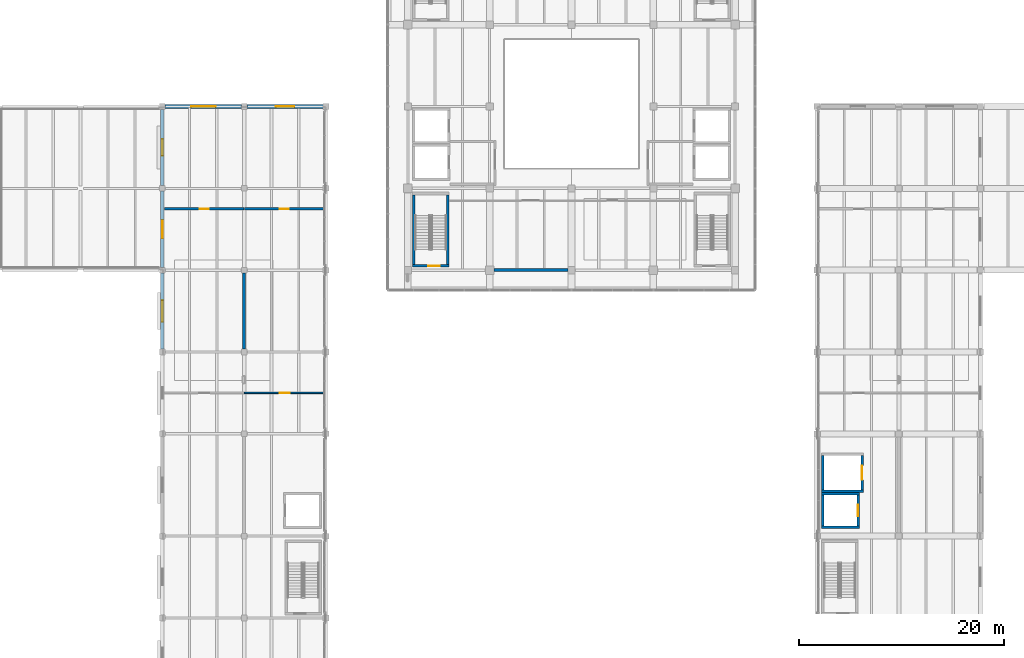
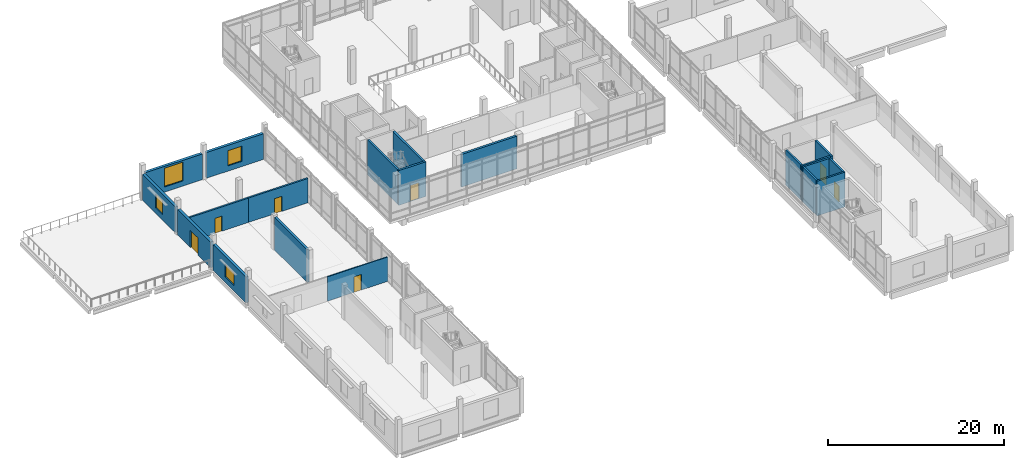
# One storey, part 34 of 47: 20 walls, 7 doors, 4 windows, 11 openings.
"""IFC4 building model written with IfcOpenShell, lengths in metres."""

from ifc_helpers import new_model, si_unit, direction, frame, frame_2d, origin, place, context, subcontext, project, spatial, rectangle, extrude, material, layer, layer_set, type_object, element, fill, save


model = new_model("IFC4")

# Units and contexts
model_context = context("Model", 3, precision=1e-05, world=origin(), true_north=direction((0.0, 1.0)))
body_context = subcontext(model_context, "Body", "Model", "MODEL_VIEW")
ifc_project = project(units=[si_unit("LENGTHUNIT", "METRE"), si_unit("AREAUNIT", "SQUARE_METRE"), si_unit("VOLUMEUNIT", "CUBIC_METRE"), si_unit("PLANEANGLEUNIT", "RADIAN"), si_unit("MASSUNIT", "GRAM", prefix="KILO")], contexts=[model_context])

# Site, building, storey
site_placement = place(None, origin())
site = spatial("IfcSite", under=ifc_project, at=site_placement, CompositionType="ELEMENT")
building_placement = place(site_placement, origin())
building = spatial("IfcBuilding", under=site, at=building_placement, Name="Pecanmere Concourse Central Library", CompositionType="ELEMENT")
storey_placement = place(building_placement, frame((0.0, 0.0, 15.300048828125)))
storey = spatial("IfcBuildingStorey", under=building, at=storey_placement, Name="L04", CompositionType="ELEMENT", Elevation=15.300048828125)

# Wall, opening, window
ifc_material_1 = material(Name="Texas cream limestone ashlar masonry", Category="masonry")
ifc_layer_1 = layer(ifc_material_1, 0.35009765625, Name="EW_LIME_350")
ifc_layer_set_1 = layer_set([ifc_layer_1], Name="Texas cream limestone ashlar masonry")
wall_type_1 = type_object("IfcWallType", Name="EW_LIME_350", PredefinedType="STANDARD", material=ifc_layer_set_1)
wall_1_placement = place(storey_placement, frame((48.0, 89.72998046875, 0.0), z_axis=(0.0, 0.0, 1.0), x_axis=(0.0, -1.0, 0.0)))
wall_1 = element("IfcWall", 1, at=wall_1_placement, inside=storey, type_object=wall_type_1, Name="Limestone Facade Wall L04-0186", PredefinedType="STANDARD", context=body_context, shape_type="SweptSolid", body=[
    extrude(rectangle(XDim=7.4599609375, YDim=0.35009765625, at=frame_2d((3.72998046875, 0.0))), origin(), (0.0, 0.0, 1.0), 3.56005859375),
])
opening_1_placement = place(wall_1_placement, frame((2.679931640625, 0.0, 0.719970703125)))
opening_1 = element("IfcOpeningElement", 2, at=opening_1_placement, cuts=wall_1, Name="Opening WN-18", PredefinedType="OPENING", context=body_context, shape_type="SweptSolid", body=[
    extrude(rectangle(XDim=2.10009765625, YDim=1.85009765625, at=frame_2d((1.050048828125, 0.925048828125))), frame((0.0, 0.18701171875, 0.0), z_axis=(0.0, -1.0, 0.0), x_axis=(1.0, 0.0, 0.0)), (0.0, 0.0, 1.0), 0.3740234375),
])
ifc_material_2 = material(Name="Low-iron clear insulated glazing", Category="glass")
window_type_1 = type_object("IfcWindowType", Name="WIN_2100x1850", PartitioningType="SINGLE_PANEL", PredefinedType="WINDOW", material=ifc_material_2)
window_1_placement = place(opening_1_placement, origin())
window_1 = element("IfcWindow", 3, at=window_1_placement, inside=storey, type_object=window_type_1, Name="WN-156", OverallHeight=1.85009765625, OverallWidth=2.10009765625, PartitioningType="SINGLE_PANEL", PredefinedType="WINDOW", context=body_context, shape_type="SweptSolid", body=[
    extrude(rectangle(XDim=2.10009765625, YDim=1.85009765625, at=frame_2d((1.050048828125, 0.925048828125))), frame((0.0, 0.030029296875, 0.0), z_axis=(0.0, -1.0, 0.0), x_axis=(1.0, 0.0, 0.0)), (0.0, 0.0, 1.0), 0.06005859375),
])
fill(opening_1, window_1)

# Wall, opening, door
wall_2_placement = place(storey_placement, frame((48.0, 97.72998046875, 0.0), z_axis=(0.0, 0.0, 1.0), x_axis=(0.0, -1.0, 0.0)))
wall_2 = element("IfcWall", 4, at=wall_2_placement, inside=storey, type_object=wall_type_1, Name="Limestone Facade Wall L04-0188", PredefinedType="STANDARD", context=body_context, shape_type="SweptSolid", body=[
    extrude(rectangle(XDim=7.4599609375, YDim=0.35009765625, at=frame_2d((3.72998046875, 0.0))), origin(), (0.0, 0.0, 1.0), 3.56005859375),
])
opening_2_placement = place(wall_2_placement, frame((2.830078125, 0.0, 0.0)))
opening_2 = element("IfcOpeningElement", 5, at=opening_2_placement, cuts=wall_2, Name="Opening ED-03", PredefinedType="OPENING", context=body_context, shape_type="SweptSolid", body=[
    extrude(rectangle(XDim=1.800048828125, YDim=2.39990234375, at=frame_2d((0.89990234375, 1.199951171875))), frame((0.0, 0.18701171875, 0.0), z_axis=(0.0, -1.0, 0.0), x_axis=(1.0, 0.0, 0.0)), (0.0, 0.0, 1.0), 0.3740234375),
])
ifc_material_3 = material(Name="Architectural anodized bronze")
door_type_1 = type_object("IfcDoorType", Name="ED-03", OperationType="DOUBLE_DOOR_SINGLE_SWING", PredefinedType="DOOR", material=ifc_material_3)
door_1_placement = place(opening_2_placement, frame((1.800048828125, 0.0, 0.0), z_axis=(0.0, 0.0, 1.0), x_axis=(-1.0, 0.0, 0.0)))
door_1 = element("IfcDoor", 6, at=door_1_placement, inside=storey, type_object=door_type_1, Name="ED-019", OperationType="DOUBLE_DOOR_SINGLE_SWING", OverallHeight=2.39990234375, OverallWidth=1.800048828125, PredefinedType="DOOR", context=body_context, shape_type="SweptSolid", body=[
    extrude(rectangle(XDim=1.800048828125, YDim=2.39990234375, at=frame_2d((0.89990234375, 1.199951171875))), frame((0.0, 0.02490234375, 0.0), z_axis=(0.0, -1.0, 0.0), x_axis=(1.0, 0.0, 0.0)), (0.0, 0.0, 1.0), 0.050048828125),
])
fill(opening_2, door_1)

# Wall, opening, window
wall_3_placement = place(storey_placement, frame((48.0, 105.72998046875, 0.0), z_axis=(0.0, 0.0, 1.0), x_axis=(0.0, -1.0, 0.0)))
wall_3 = element("IfcWall", 7, at=wall_3_placement, inside=storey, type_object=wall_type_1, Name="Limestone Facade Wall L04-0190", PredefinedType="STANDARD", context=body_context, shape_type="SweptSolid", body=[
    extrude(rectangle(XDim=7.4599609375, YDim=0.35009765625, at=frame_2d((3.72998046875, 0.0))), origin(), (0.0, 0.0, 1.0), 3.56005859375),
])
opening_3_placement = place(wall_3_placement, frame((2.929931640625, 0.0, 0.719970703125)))
opening_3 = element("IfcOpeningElement", 8, at=opening_3_placement, cuts=wall_3, Name="Opening WN-07", PredefinedType="OPENING", context=body_context, shape_type="SweptSolid", body=[
    extrude(rectangle(XDim=1.60009765625, YDim=1.949951171875, at=frame_2d((0.800048828125, 0.97509765625))), frame((0.0, 0.18701171875, 0.0), z_axis=(0.0, -1.0, 0.0), x_axis=(1.0, 0.0, 0.0)), (0.0, 0.0, 1.0), 0.3740234375),
])
ifc_material_4 = material(Name="Low-iron clear insulated glazing", Category="glass")
window_type_2 = type_object("IfcWindowType", Name="WIN_1600x1950", PartitioningType="SINGLE_PANEL", PredefinedType="WINDOW", material=ifc_material_4)
window_2_placement = place(opening_3_placement, origin())
window_2 = element("IfcWindow", 9, at=window_2_placement, inside=storey, type_object=window_type_2, Name="WN-159", OverallHeight=1.949951171875, OverallWidth=1.60009765625, PartitioningType="SINGLE_PANEL", PredefinedType="WINDOW", context=body_context, shape_type="SweptSolid", body=[
    extrude(rectangle(XDim=1.60009765625, YDim=1.949951171875, at=frame_2d((0.800048828125, 0.97509765625))), frame((0.0, 0.030029296875, 0.0), z_axis=(0.0, -1.0, 0.0), x_axis=(1.0, 0.0, 0.0)), (0.0, 0.0, 1.0), 0.06005859375),
])
fill(opening_3, window_2)

wall_4_placement = place(storey_placement, frame((55.72998046875, 106.0, 0.0), z_axis=(0.0, 0.0, 1.0), x_axis=(-1.0, 0.0, 0.0)))
wall_4 = element("IfcWall", 10, at=wall_4_placement, inside=storey, type_object=wall_type_1, Name="Limestone Facade Wall L04-0196", PredefinedType="STANDARD", context=body_context, shape_type="SweptSolid", body=[
    extrude(rectangle(XDim=7.4599609375, YDim=0.35009765625, at=frame_2d((3.72998046875, 0.0))), origin(), (0.0, 0.0, 1.0), 3.56005859375),
])
opening_4_placement = place(wall_4_placement, frame((2.530029296875, 0.0, 0.719970703125)))
opening_4 = element("IfcOpeningElement", 11, at=opening_4_placement, cuts=wall_4, Name="Opening WN-01", PredefinedType="OPENING", context=body_context, shape_type="SweptSolid", body=[
    extrude(rectangle(XDim=2.39990234375, YDim=2.60009765625, at=frame_2d((1.199951171875, 1.300048828125))), frame((0.0, 0.18701171875, 0.0), z_axis=(0.0, -1.0, 0.0), x_axis=(1.0, 0.0, 0.0)), (0.0, 0.0, 1.0), 0.3740234375),
])
ifc_material_5 = material(Name="Low-iron clear insulated glazing", Category="glass")
window_type_3 = type_object("IfcWindowType", Name="WIN_2400x2600", PartitioningType="SINGLE_PANEL", PredefinedType="WINDOW", material=ifc_material_5)
window_3_placement = place(opening_4_placement, origin())
window_3 = element("IfcWindow", 12, at=window_3_placement, inside=storey, type_object=window_type_3, Name="WN-165", OverallHeight=2.60009765625, OverallWidth=2.39990234375, PartitioningType="SINGLE_PANEL", PredefinedType="WINDOW", context=body_context, shape_type="SweptSolid", body=[
    extrude(rectangle(XDim=2.39990234375, YDim=2.60009765625, at=frame_2d((1.199951171875, 1.300048828125))), frame((0.0, 0.030029296875, 0.0), z_axis=(0.0, -1.0, 0.0), x_axis=(1.0, 0.0, 0.0)), (0.0, 0.0, 1.0), 0.06005859375),
])
fill(opening_4, window_3)

wall_5_placement = place(storey_placement, frame((63.72998046875, 106.0, 0.0), z_axis=(0.0, 0.0, 1.0), x_axis=(-1.0, 0.0, 0.0)))
wall_5 = element("IfcWall", 13, at=wall_5_placement, inside=storey, type_object=wall_type_1, Name="Limestone Facade Wall L04-0198", PredefinedType="STANDARD", context=body_context, shape_type="SweptSolid", body=[
    extrude(rectangle(XDim=7.4599609375, YDim=0.35009765625, at=frame_2d((3.72998046875, 0.0))), origin(), (0.0, 0.0, 1.0), 3.56005859375),
])
opening_5_placement = place(wall_5_placement, frame((2.830078125, 0.0, 0.719970703125)))
opening_5 = element("IfcOpeningElement", 14, at=opening_5_placement, cuts=wall_5, Name="Opening WN-05", PredefinedType="OPENING", context=body_context, shape_type="SweptSolid", body=[
    extrude(rectangle(XDim=1.800048828125, YDim=2.10009765625, at=frame_2d((0.89990234375, 1.050048828125))), frame((0.0, 0.18701171875, 0.0), z_axis=(0.0, -1.0, 0.0), x_axis=(1.0, 0.0, 0.0)), (0.0, 0.0, 1.0), 0.3740234375),
])
ifc_material_6 = material(Name="Low-iron clear insulated glazing", Category="glass")
window_type_4 = type_object("IfcWindowType", Name="WIN_1800x2100", PartitioningType="SINGLE_PANEL", PredefinedType="WINDOW", material=ifc_material_6)
window_4_placement = place(opening_5_placement, origin())
window_4 = element("IfcWindow", 15, at=window_4_placement, inside=storey, type_object=window_type_4, Name="WN-167", OverallHeight=2.10009765625, OverallWidth=1.800048828125, PartitioningType="SINGLE_PANEL", PredefinedType="WINDOW", context=body_context, shape_type="SweptSolid", body=[
    extrude(rectangle(XDim=1.800048828125, YDim=2.10009765625, at=frame_2d((0.89990234375, 1.050048828125))), frame((0.0, 0.030029296875, 0.0), z_axis=(0.0, -1.0, 0.0), x_axis=(1.0, 0.0, 0.0)), (0.0, 0.0, 1.0), 0.06005859375),
])
fill(opening_5, window_4)

# Wall, opening, door
ifc_material_7 = material(Name="Fire-rated gypsum board on acoustic steel stud", Category="steel")
ifc_layer_2 = layer(ifc_material_7, 0.135009765625, Name="IW_PART_135")
ifc_layer_set_2 = layer_set([ifc_layer_2], Name="Fire-rated gypsum board on acoustic steel stud")
wall_type_2 = type_object("IfcWallType", Name="IW_PART_135", PredefinedType="PARTITIONING", material=ifc_layer_set_2)
wall_6_placement = place(storey_placement, frame((56.02001953125, 78.0, 0.0), z_axis=(0.0, 0.0, 1.0), x_axis=(1.0, 0.0, 0.0)))
wall_6 = element("IfcWall", 16, at=wall_6_placement, inside=storey, type_object=wall_type_2, Name="Interior Partition L04-0195", PredefinedType="PARTITIONING", context=body_context, shape_type="SweptSolid", body=[
    extrude(rectangle(XDim=7.8798828125, YDim=0.135009765625, at=frame_2d((3.93994140625, 0.0))), origin(), (0.0, 0.0, 1.0), 3.369873046875),
])
opening_6_placement = place(wall_6_placement, frame((3.465087890625, 0.0, 0.0)))
opening_6 = element("IfcOpeningElement", 17, at=opening_6_placement, cuts=wall_6, Name="Opening DT-05", PredefinedType="OPENING", context=body_context, shape_type="SweptSolid", body=[
    extrude(rectangle(XDim=0.949951171875, YDim=2.14990234375, at=frame_2d((0.47509765625, 1.074951171875))), frame((0.0, 0.07958984375, 0.0), z_axis=(0.0, -1.0, 0.0), x_axis=(1.0, 0.0, 0.0)), (0.0, 0.0, 1.0), 0.158935546875),
])
ifc_material_8 = material(Name="Solid white oak architectural joinery")
door_type_2 = type_object("IfcDoorType", Name="DT-05", OperationType="SINGLE_SWING_LEFT", PredefinedType="DOOR", material=ifc_material_8)
door_2_placement = place(opening_6_placement, frame((0.949951171875, 0.0, 0.0), z_axis=(0.0, 0.0, 1.0), x_axis=(-1.0, 0.0, 0.0)))
door_2 = element("IfcDoor", 18, at=door_2_placement, inside=storey, type_object=door_type_2, Name="D-219", OperationType="SINGLE_SWING_LEFT", OverallHeight=2.14990234375, OverallWidth=0.949951171875, PredefinedType="DOOR", context=body_context, shape_type="SweptSolid", body=[
    extrude(rectangle(XDim=0.949951171875, YDim=2.14990234375, at=frame_2d((0.47509765625, 1.074951171875))), frame((0.0, 0.02490234375, 0.0), z_axis=(0.0, -1.0, 0.0), x_axis=(1.0, 0.0, 0.0)), (0.0, 0.0, 1.0), 0.050048828125),
])
fill(opening_6, door_2)

ifc_material_9 = material(Name="Concrete masonry unit ASTM C90", Category="masonry")
ifc_layer_3 = layer(ifc_material_9, 0.22509765625, Name="IW_PLUMB_225")
ifc_layer_set_3 = layer_set([ifc_layer_3], Name="Concrete masonry unit ASTM C90")
wall_type_3 = type_object("IfcWallType", Name="IW_PLUMB_225", PredefinedType="PARTITIONING", material=ifc_layer_set_3)
wall_7_placement = place(storey_placement, frame((48.18505859375, 96.0, 0.0), z_axis=(0.0, 0.0, 1.0), x_axis=(1.0, 0.0, 0.0)))
wall_7 = element("IfcWall", 19, at=wall_7_placement, inside=storey, type_object=wall_type_3, Name="Interior Partition L04-0198", PredefinedType="PARTITIONING", context=body_context, shape_type="SweptSolid", body=[
    extrude(rectangle(XDim=7.81494140625, YDim=0.22509765625, at=frame_2d((3.907470703125, 0.0))), origin(), (0.0, 0.0, 1.0), 3.369873046875),
])
opening_7_placement = place(wall_7_placement, frame((3.447509765625, 0.0, 0.0)))
opening_7 = element("IfcOpeningElement", 20, at=opening_7_placement, cuts=wall_7, Name="Opening DT-08", PredefinedType="OPENING", context=body_context, shape_type="SweptSolid", body=[
    extrude(rectangle(XDim=0.919921875, YDim=2.10009765625, at=frame_2d((0.4599609375, 1.050048828125))), frame((0.0, 0.12451171875, 0.0), z_axis=(0.0, -1.0, 0.0), x_axis=(1.0, 0.0, 0.0)), (0.0, 0.0, 1.0), 0.2490234375),
])
ifc_material_10 = material(Name="Solid white oak architectural joinery")
door_type_3 = type_object("IfcDoorType", Name="DT-08", OperationType="SINGLE_SWING_RIGHT", PredefinedType="DOOR", material=ifc_material_10)
door_3_placement = place(opening_7_placement, origin())
door_3 = element("IfcDoor", 21, at=door_3_placement, inside=storey, type_object=door_type_3, Name="D-222", OperationType="SINGLE_SWING_RIGHT", OverallHeight=2.10009765625, OverallWidth=0.919921875, PredefinedType="DOOR", context=body_context, shape_type="SweptSolid", body=[
    extrude(rectangle(XDim=0.919921875, YDim=2.10009765625, at=frame_2d((0.4599609375, 1.050048828125))), frame((0.0, 0.02490234375, 0.0), z_axis=(0.0, -1.0, 0.0), x_axis=(1.0, 0.0, 0.0)), (0.0, 0.0, 1.0), 0.050048828125),
])
fill(opening_7, door_3)

wall_8_placement = place(storey_placement, frame((56.02001953125, 96.0, 0.0), z_axis=(0.0, 0.0, 1.0), x_axis=(1.0, 0.0, 0.0)))
wall_8 = element("IfcWall", 22, at=wall_8_placement, inside=storey, type_object=wall_type_3, Name="Interior Partition L04-0199", PredefinedType="PARTITIONING", context=body_context, shape_type="SweptSolid", body=[
    extrude(rectangle(XDim=7.800048828125, YDim=0.22509765625, at=frame_2d((3.89990234375, 0.0))), origin(), (0.0, 0.0, 1.0), 3.369873046875),
])
opening_8_placement = place(wall_8_placement, frame((3.43994140625, 0.0, 0.0)))
opening_8 = element("IfcOpeningElement", 23, at=opening_8_placement, cuts=wall_8, Name="Opening DT-07", PredefinedType="OPENING", context=body_context, shape_type="SweptSolid", body=[
    extrude(rectangle(XDim=0.919921875, YDim=2.10009765625, at=frame_2d((0.4599609375, 1.050048828125))), frame((0.0, 0.12451171875, 0.0), z_axis=(0.0, -1.0, 0.0), x_axis=(1.0, 0.0, 0.0)), (0.0, 0.0, 1.0), 0.2490234375),
])
ifc_material_11 = material(Name="Solid white oak architectural joinery")
door_type_4 = type_object("IfcDoorType", Name="DT-07", OperationType="SINGLE_SWING_LEFT", PredefinedType="DOOR", material=ifc_material_11)
door_4_placement = place(opening_8_placement, frame((0.919921875, 0.0, 0.0), z_axis=(0.0, 0.0, 1.0), x_axis=(-1.0, 0.0, 0.0)))
door_4 = element("IfcDoor", 24, at=door_4_placement, inside=storey, type_object=door_type_4, Name="D-223", OperationType="SINGLE_SWING_LEFT", OverallHeight=2.10009765625, OverallWidth=0.919921875, PredefinedType="DOOR", context=body_context, shape_type="SweptSolid", body=[
    extrude(rectangle(XDim=0.919921875, YDim=2.10009765625, at=frame_2d((0.4599609375, 1.050048828125))), frame((0.0, 0.02490234375, 0.0), z_axis=(0.0, -1.0, 0.0), x_axis=(1.0, 0.0, 0.0)), (0.0, 0.0, 1.0), 0.050048828125),
])
fill(opening_8, door_4)

# Walls
ifc_material_12 = material(Name="Concrete C40/50", Category="concrete")
ifc_layer_4 = layer(ifc_material_12, 0.2900390625, Name="WALL_SHR_290")
ifc_layer_set_4 = layer_set([ifc_layer_4], Name="Concrete C40/50")
wall_type_4 = type_object("IfcWallType", Name="WALL_SHR_290", PredefinedType="SHEAR", material=ifc_layer_set_4)
wall_9_placement = place(storey_placement, frame((56.0, 82.27490234375, 0.0), z_axis=(0.0, 0.0, 1.0), x_axis=(0.0, 1.0, 0.0)))
element("IfcWall", 25, at=wall_9_placement, inside=storey, type_object=wall_type_4, Name="Lateral Shear Wall L04-023", PredefinedType="SHEAR", context=body_context, shape_type="SweptSolid", body=[
    extrude(rectangle(XDim=7.4501953125, YDim=0.2900390625, at=frame_2d((3.72509765625, 0.0))), origin(), (0.0, 0.0, 1.0), 4.52001953125),
])
wall_10_placement = place(storey_placement, frame((80.429931640625, 90.0, 0.0), z_axis=(0.0, 0.0, 1.0), x_axis=(1.0, 0.0, 0.0)))
element("IfcWall", 26, at=wall_10_placement, inside=storey, type_object=wall_type_4, Name="Lateral Shear Wall L04-029", PredefinedType="SHEAR", context=body_context, shape_type="SweptSolid", body=[
    extrude(rectangle(XDim=7.219970703125, YDim=0.2900390625, at=frame_2d((3.60986328125, 0.0))), origin(), (0.0, 0.0, 1.0), 4.52001953125),
])
ifc_material_13 = material(Name="Concrete C40/50", Category="concrete")
ifc_layer_5 = layer(ifc_material_13, 0.239990234375, Name="WALL_SLD_240")
ifc_layer_set_5 = layer_set([ifc_layer_5], Name="Concrete C40/50")
wall_type_5 = type_object("IfcWallType", Name="WALL_SLD_240", PredefinedType="SOLIDWALL", material=ifc_layer_set_5)
for number, where, z_axis, x_axis, name in (
    (27, (112.4599609375, 64.8798828125, 0.0), (0.0, 0.0, 1.0), (1.0, 0.0, 0.0), "Hoistway Wall LP-03 L04-S"),
    (28, (112.4599609375, 68.1201171875, 0.0), (0.0, 0.0, 1.0), (1.0, 0.0, 0.0), "Hoistway Wall LP-03 L04-N"),
):
    element("IfcWall", number, at=place(storey_placement, frame(where, z_axis=z_axis, x_axis=x_axis)), inside=storey, type_object=wall_type_5, Name=name, PredefinedType="SOLIDWALL", context=body_context, shape_type="SweptSolid", body=[
        extrude(rectangle(XDim=3.679931640625, YDim=0.239990234375, at=frame_2d((1.83984375, 0.0))), origin(), (0.0, 0.0, 1.0), 4.800048828125),
    ])
wall_11_placement = place(storey_placement, frame((112.580078125, 65.0, 0.0), z_axis=(0.0, 0.0, 1.0), x_axis=(0.0, 1.0, 0.0)))
element("IfcWall", 29, at=wall_11_placement, inside=storey, type_object=wall_type_5, Name="Hoistway Wall LP-03 L04-W", PredefinedType="SOLIDWALL", context=body_context, shape_type="SweptSolid", body=[
    extrude(rectangle(XDim=3.0, YDim=0.239990234375, at=frame_2d((1.5, 0.0))), origin(), (0.0, 0.0, 1.0), 4.800048828125),
])

# Wall, opening, door
wall_12_placement = place(storey_placement, frame((116.02001953125, 65.0, 0.0), z_axis=(0.0, 0.0, 1.0), x_axis=(0.0, 1.0, 0.0)))
wall_12 = element("IfcWall", 30, at=wall_12_placement, inside=storey, type_object=wall_type_5, Name="Hoistway Wall LP-03 L04-E", PredefinedType="SOLIDWALL", context=body_context, shape_type="SweptSolid", body=[
    extrude(rectangle(XDim=3.0, YDim=0.239990234375, at=frame_2d((1.5, 0.0))), origin(), (0.0, 0.0, 1.0), 4.800048828125),
])
opening_9_placement = place(wall_12_placement, frame((0.949951171875, 0.0, 0.0)))
opening_9 = element("IfcOpeningElement", 31, at=opening_9_placement, cuts=wall_12, Name="Opening LD-01", PredefinedType="OPENING", context=body_context, shape_type="SweptSolid", body=[
    extrude(rectangle(XDim=1.10009765625, YDim=2.199951171875, at=frame_2d((0.550048828125, 1.10009765625))), frame((0.0, 0.1318359375, 0.0), z_axis=(0.0, -1.0, 0.0), x_axis=(1.0, 0.0, 0.0)), (0.0, 0.0, 1.0), 0.263916015625),
])
ifc_material_14 = material(Name="Brushed stainless steel Grade 316", Category="steel")
door_type_5 = type_object("IfcDoorType", Name="LD-01", OperationType="DOUBLE_DOOR_SLIDING", PredefinedType="DOOR", material=ifc_material_14)
door_5_placement = place(opening_9_placement, origin())
door_5 = element("IfcDoor", 32, at=door_5_placement, inside=storey, type_object=door_type_5, Name="LD-LP-03-L04", OperationType="DOUBLE_DOOR_SLIDING", OverallHeight=2.199951171875, OverallWidth=1.10009765625, PredefinedType="DOOR", context=body_context, shape_type="SweptSolid", body=[
    extrude(rectangle(XDim=1.10009765625, YDim=2.199951171875, at=frame_2d((0.550048828125, 1.10009765625))), frame((0.0, 0.02490234375, 0.0), z_axis=(0.0, -1.0, 0.0), x_axis=(1.0, 0.0, 0.0)), (0.0, 0.0, 1.0), 0.050048828125),
])
fill(opening_9, door_5)

# Walls
wall_13_placement = place(storey_placement, frame((112.4599609375, 68.3798828125, 0.0), z_axis=(0.0, 0.0, 1.0), x_axis=(1.0, 0.0, 0.0)))
element("IfcWall", 33, at=wall_13_placement, inside=storey, type_object=wall_type_5, Name="Hoistway Wall LS-01 L04-S", PredefinedType="SOLIDWALL", context=body_context, shape_type="SweptSolid", body=[
    extrude(rectangle(XDim=4.080078125, YDim=0.239990234375, at=frame_2d((2.0400390625, 0.0))), origin(), (0.0, 0.0, 1.0), 4.800048828125),
])
wall_14_placement = place(storey_placement, frame((112.580078125, 68.5, 0.0), z_axis=(0.0, 0.0, 1.0), x_axis=(0.0, 1.0, 0.0)))
element("IfcWall", 34, at=wall_14_placement, inside=storey, type_object=wall_type_5, Name="Hoistway Wall LS-01 L04-W", PredefinedType="SOLIDWALL", context=body_context, shape_type="SweptSolid", body=[
    extrude(rectangle(XDim=3.39990234375, YDim=0.239990234375, at=frame_2d((1.699951171875, 0.0))), origin(), (0.0, 0.0, 1.0), 4.800048828125),
])

# Wall, opening, door
wall_15_placement = place(storey_placement, frame((116.419921875, 68.5, 0.0), z_axis=(0.0, 0.0, 1.0), x_axis=(0.0, 1.0, 0.0)))
wall_15 = element("IfcWall", 35, at=wall_15_placement, inside=storey, type_object=wall_type_5, Name="Hoistway Wall LS-01 L04-E", PredefinedType="SOLIDWALL", context=body_context, shape_type="SweptSolid", body=[
    extrude(rectangle(XDim=3.39990234375, YDim=0.239990234375, at=frame_2d((1.699951171875, 0.0))), origin(), (0.0, 0.0, 1.0), 4.800048828125),
])
opening_10_placement = place(wall_15_placement, frame((1.0, 0.0, 0.0)))
opening_10 = element("IfcOpeningElement", 36, at=opening_10_placement, cuts=wall_15, Name="Opening LD-03", PredefinedType="OPENING", context=body_context, shape_type="SweptSolid", body=[
    extrude(rectangle(XDim=1.39990234375, YDim=2.300048828125, at=frame_2d((0.699951171875, 1.14990234375))), frame((0.0, 0.1318359375, 0.0), z_axis=(0.0, -1.0, 0.0), x_axis=(1.0, 0.0, 0.0)), (0.0, 0.0, 1.0), 0.263916015625),
])
ifc_material_15 = material(Name="Brushed stainless steel Grade 316", Category="steel")
door_type_6 = type_object("IfcDoorType", Name="LD-03", OperationType="DOUBLE_DOOR_SLIDING", PredefinedType="DOOR", material=ifc_material_15)
door_6_placement = place(opening_10_placement, origin())
door_6 = element("IfcDoor", 37, at=door_6_placement, inside=storey, type_object=door_type_6, Name="LD-LS-01-L04", OperationType="DOUBLE_DOOR_SLIDING", OverallHeight=2.300048828125, OverallWidth=1.39990234375, PredefinedType="DOOR", context=body_context, shape_type="SweptSolid", body=[
    extrude(rectangle(XDim=1.39990234375, YDim=2.300048828125, at=frame_2d((0.699951171875, 1.14990234375))), frame((0.0, 0.02490234375, 0.0), z_axis=(0.0, -1.0, 0.0), x_axis=(1.0, 0.0, 0.0)), (0.0, 0.0, 1.0), 0.050048828125),
])
fill(opening_10, door_6)

ifc_material_16 = material(Name="Concrete C40/50", Category="concrete")
ifc_layer_6 = layer(ifc_material_16, 0.260009765625, Name="WALL_SLD_260")
ifc_layer_set_6 = layer_set([ifc_layer_6], Name="Concrete C40/50")
wall_type_6 = type_object("IfcWallType", Name="WALL_SLD_260", PredefinedType="SOLIDWALL", material=ifc_layer_set_6)
wall_16_placement = place(storey_placement, frame((72.43994140625, 90.419921875, 0.0), z_axis=(0.0, 0.0, 1.0), x_axis=(1.0, 0.0, 0.0)))
wall_16 = element("IfcWall", 38, at=wall_16_placement, inside=storey, type_object=wall_type_6, Name="Core C1 South Wall L04", PredefinedType="SOLIDWALL", context=body_context, shape_type="SweptSolid", body=[
    extrude(rectangle(XDim=3.580078125, YDim=0.260009765625, at=frame_2d((1.7900390625, 0.0))), origin(), (0.0, 0.0, 1.0), 4.800048828125),
])
opening_11_placement = place(wall_16_placement, frame((1.56005859375, 0.0, 0.0)))
opening_11 = element("IfcOpeningElement", 39, at=opening_11_placement, cuts=wall_16, Name="Opening FD-02", PredefinedType="OPENING", context=body_context, shape_type="SweptSolid", body=[
    extrude(rectangle(XDim=1.10009765625, YDim=2.199951171875, at=frame_2d((0.550048828125, 1.10009765625))), frame((0.0, 0.14208984375, 0.0), z_axis=(0.0, -1.0, 0.0), x_axis=(1.0, 0.0, 0.0)), (0.0, 0.0, 1.0), 0.283935546875),
])
ifc_material_17 = material(Name="Painted architectural steel ASTM A36", Category="steel")
door_type_7 = type_object("IfcDoorType", Name="FD-02", OperationType="SINGLE_SWING_RIGHT", PredefinedType="DOOR", material=ifc_material_17)
door_7_placement = place(opening_11_placement, origin())
door_7 = element("IfcDoor", 40, at=door_7_placement, inside=storey, type_object=door_type_7, Name="D-005", OperationType="SINGLE_SWING_RIGHT", OverallHeight=2.199951171875, OverallWidth=1.10009765625, PredefinedType="DOOR", context=body_context, shape_type="SweptSolid", body=[
    extrude(rectangle(XDim=1.10009765625, YDim=2.199951171875, at=frame_2d((0.550048828125, 1.10009765625))), frame((0.0, 0.02490234375, 0.0), z_axis=(0.0, -1.0, 0.0), x_axis=(1.0, 0.0, 0.0)), (0.0, 0.0, 1.0), 0.050048828125),
])
fill(opening_11, door_7)

# Walls
for number, where, z_axis, x_axis, name in (
    (41, (72.570068359375, 90.550048828125, 0.0), (0.0, 0.0, 1.0), (0.0, 1.0, 0.0), "Core C1 W Wall L04"),
    (42, (75.889892578125, 90.550048828125, 0.0), (0.0, 0.0, 1.0), (0.0, 1.0, 0.0), "Core C1 E Wall L04"),
):
    element("IfcWall", number, at=place(storey_placement, frame(where, z_axis=z_axis, x_axis=x_axis)), inside=storey, type_object=wall_type_6, Name=name, PredefinedType="SOLIDWALL", context=body_context, shape_type="SweptSolid", body=[
        extrude(rectangle(XDim=6.820068359375, YDim=0.260009765625, at=frame_2d((3.41015625, 0.0))), origin(), (0.0, 0.0, 1.0), 4.800048828125),
    ])

save(model, "model.ifc")
